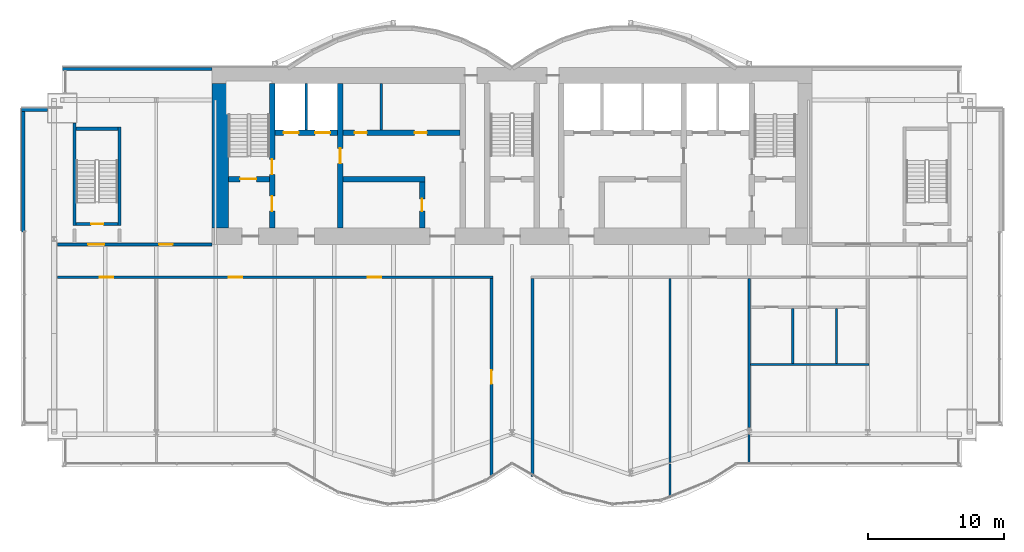
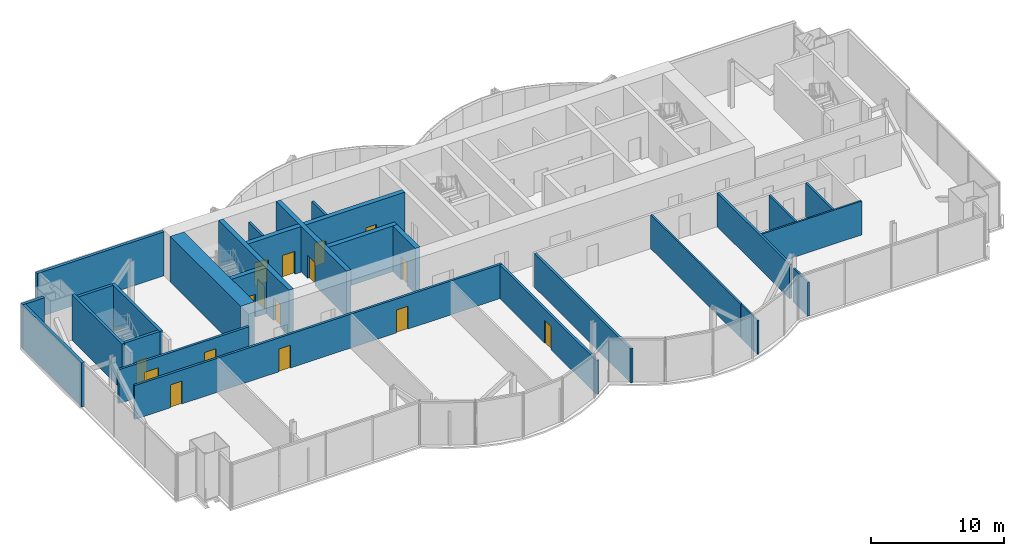
# One storey, part 13 of 19: 27 walls, 16 doors, 16 openings.
"""IFC4 building model written with IfcOpenShell, lengths in metres."""

from ifc_helpers import new_model, si_unit, direction, frame, frame_2d, origin, place, context, subcontext, project, spatial, rectangle, extrude, material, layer, layer_set, layer_usage, type_object, element, fill, save


model = new_model("IFC4")

# Units and contexts
model_context = context("Model", 3, precision=1e-05, world=origin(), true_north=direction((0.0, 1.0)))
body_context = subcontext(model_context, "Body", "Model", "MODEL_VIEW")
ifc_project = project(units=[si_unit("LENGTHUNIT", "METRE"), si_unit("AREAUNIT", "SQUARE_METRE"), si_unit("VOLUMEUNIT", "CUBIC_METRE"), si_unit("PLANEANGLEUNIT", "RADIAN"), si_unit("MASSUNIT", "GRAM", prefix="KILO")], contexts=[model_context])

# Site, building, storey
site_placement = place(None, origin())
site = spatial("IfcSite", under=ifc_project, at=site_placement, CompositionType="ELEMENT")
building_placement = place(site_placement, origin())
building = spatial("IfcBuilding", under=site, at=building_placement, Name="Bicima Exchange Tower", CompositionType="ELEMENT")
storey_placement = place(building_placement, frame((0.0, 0.0, 258.199951171875)))
storey = spatial("IfcBuildingStorey", under=building, at=storey_placement, Name="L58", CompositionType="ELEMENT", Elevation=258.199951171875)

# Wall
ifc_material_1 = material(Name="Gypsum board partition")
ifc_layer_1 = layer(ifc_material_1, 0.199951171875)
ifc_layer_set_1 = layer_set([ifc_layer_1], Name="Gypsum board partition")
wall_type_1 = type_object("IfcWallType", Name="Fire-rated gypsum partition 200 EI120", PredefinedType="PARTITIONING", material=ifc_layer_set_1)
wall_1_placement = place(storey_placement, frame((-15.10009765625, -4.60009765625, 0.0), z_axis=(0.0, 0.0, 1.0), x_axis=(0.0, 1.0, 0.0)))
element("IfcWall", 1, at=wall_1_placement, inside=storey, type_object=wall_type_1, Name="partition wall 9", PredefinedType="PARTITIONING", context=body_context, shape_type="SweptSolid", body=[
    extrude(rectangle(XDim=3.400146484375, YDim=0.199951171875, at=frame_2d((1.7001953125, 0.0))), origin(), (0.0, 0.0, 1.0), 3.1181640625),
])

# Wall, openings, doors
ifc_layer_2 = layer(ifc_material_1, 0.199951171875)
ifc_layer_set_2 = layer_set([ifc_layer_2], Name="Gypsum board partition")
wall_type_2 = type_object("IfcWallType", Name="Fire-rated gypsum partition 200 EI60", PredefinedType="PARTITIONING", material=ifc_layer_set_2)
wall_2_placement = place(storey_placement, frame((-33.340087890625, -15.39990234375, 0.0), z_axis=(0.0, 0.0, 1.0), x_axis=(1.0, 0.0, 0.0)))
wall_2 = element("IfcWall", 2, at=wall_2_placement, inside=storey, type_object=wall_type_2, Name="partition wall 3", PredefinedType="PARTITIONING", context=body_context, shape_type="SweptSolid", body=[
    extrude(rectangle(XDim=31.940185546875, YDim=0.199951171875, at=frame_2d((15.97021484375, 0.0))), origin(), (0.0, 0.0, 1.0), 3.1181640625),
])
opening_1_placement = place(wall_2_placement, frame((3.10009765625, 0.0, 0.0)))
opening_1 = element("IfcOpeningElement", 3, at=opening_1_placement, cuts=wall_2, Name="Opening L58-007", PredefinedType="OPENING", context=body_context, shape_type="SweptSolid", body=[
    extrude(rectangle(XDim=1.0, YDim=2.10009765625, at=frame_2d((0.5, 1.050048828125))), frame((0.0, 0.11181640625, 0.0), z_axis=(0.0, -1.0, 0.0), x_axis=(1.0, 0.0, 0.0)), (0.0, 0.0, 1.0), 0.223876953125),
])
opening_2_placement = place(wall_2_placement, frame((12.5400390625, 0.0, 0.0)))
opening_2 = element("IfcOpeningElement", 4, at=opening_2_placement, cuts=wall_2, Name="Opening L58-008", PredefinedType="OPENING", context=body_context, shape_type="SweptSolid", body=[
    extrude(rectangle(XDim=1.0, YDim=2.10009765625, at=frame_2d((0.5, 1.050048828125))), frame((0.0, 0.11181640625, 0.0), z_axis=(0.0, -1.0, 0.0), x_axis=(1.0, 0.0, 0.0)), (0.0, 0.0, 1.0), 0.223876953125),
])
opening_3_placement = place(wall_2_placement, frame((22.739990234375, 0.0, 0.0)))
opening_3 = element("IfcOpeningElement", 5, at=opening_3_placement, cuts=wall_2, Name="Opening L58-009", PredefinedType="OPENING", context=body_context, shape_type="SweptSolid", body=[
    extrude(rectangle(XDim=1.0, YDim=2.10009765625, at=frame_2d((0.5, 1.050048828125))), frame((0.0, 0.11181640625, 0.0), z_axis=(0.0, -1.0, 0.0), x_axis=(1.0, 0.0, 0.0)), (0.0, 0.0, 1.0), 0.223876953125),
])
ifc_material_2 = material(Name="Steel fire door leaf", Category="steel")
door_type_1 = type_object("IfcDoorType", Name="Door 1000 swing FD30S", OperationType="SINGLE_SWING_LEFT", PredefinedType="DOOR", material=ifc_material_2)
door_1_placement = place(opening_1_placement, frame((1.0, 0.0, 0.0), z_axis=(0.0, 0.0, 1.0), x_axis=(-1.0, 0.0, 0.0)))
door_1 = element("IfcDoor", 6, at=door_1_placement, inside=storey, type_object=door_type_1, Name="Door", OperationType="SINGLE_SWING_LEFT", OverallHeight=2.10009765625, OverallWidth=1.0, PredefinedType="DOOR", context=body_context, shape_type="SweptSolid", body=[
    extrude(rectangle(XDim=1.0, YDim=2.10009765625, at=frame_2d((0.5, 1.050048828125))), frame((0.0, 0.02490234375, 0.0), z_axis=(0.0, -1.0, 0.0), x_axis=(1.0, 0.0, 0.0)), (0.0, 0.0, 1.0), 0.050048828125),
])
fill(opening_1, door_1)
door_2_placement = place(opening_2_placement, frame((1.0, 0.0, 0.0), z_axis=(0.0, 0.0, 1.0), x_axis=(-1.0, 0.0, 0.0)))
door_2 = element("IfcDoor", 7, at=door_2_placement, inside=storey, type_object=door_type_1, Name="Door", OperationType="SINGLE_SWING_RIGHT", OverallHeight=2.10009765625, OverallWidth=1.0, PredefinedType="DOOR", context=body_context, shape_type="SweptSolid", body=[
    extrude(rectangle(XDim=1.0, YDim=2.10009765625, at=frame_2d((0.5, 1.050048828125))), frame((0.0, 0.02490234375, 0.0), z_axis=(0.0, -1.0, 0.0), x_axis=(1.0, 0.0, 0.0)), (0.0, 0.0, 1.0), 0.050048828125),
])
fill(opening_2, door_2)
door_3_placement = place(opening_3_placement, frame((1.0, 0.0, 0.0), z_axis=(0.0, 0.0, 1.0), x_axis=(-1.0, 0.0, 0.0)))
door_3 = element("IfcDoor", 8, at=door_3_placement, inside=storey, type_object=door_type_1, Name="Door", OperationType="SINGLE_SWING_RIGHT", OverallHeight=2.10009765625, OverallWidth=1.0, PredefinedType="DOOR", context=body_context, shape_type="SweptSolid", body=[
    extrude(rectangle(XDim=1.0, YDim=2.10009765625, at=frame_2d((0.5, 1.050048828125))), frame((0.0, 0.02490234375, 0.0), z_axis=(0.0, -1.0, 0.0), x_axis=(1.0, 0.0, 0.0)), (0.0, 0.0, 1.0), 0.050048828125),
])
fill(opening_3, door_3)

wall_3_placement = place(storey_placement, frame((-33.340087890625, -13.0, 0.0), z_axis=(0.0, 0.0, 1.0), x_axis=(1.0, 0.0, 0.0)))
wall_3 = element("IfcWall", 9, at=wall_3_placement, inside=storey, type_object=wall_type_2, Name="partition wall 5", PredefinedType="PARTITIONING", context=body_context, shape_type="SweptSolid", body=[
    extrude(rectangle(XDim=11.340087890625, YDim=0.199951171875, at=frame_2d((5.669921875, 0.0))), origin(), (0.0, 0.0, 1.0), 3.1181640625),
])
opening_4_placement = place(wall_3_placement, frame((2.239990234375, 0.0, 0.0)))
opening_4 = element("IfcOpeningElement", 10, at=opening_4_placement, cuts=wall_3, Name="Opening L58-001", PredefinedType="OPENING", context=body_context, shape_type="SweptSolid", body=[
    extrude(rectangle(XDim=1.199951171875, YDim=2.10009765625, at=frame_2d((0.60009765625, 1.050048828125))), frame((0.0, 0.11181640625, 0.0), z_axis=(0.0, -1.0, 0.0), x_axis=(1.0, 0.0, 0.0)), (0.0, 0.0, 1.0), 0.223876953125),
])
opening_5_placement = place(wall_3_placement, frame((7.43994140625, 0.0, 0.0)))
opening_5 = element("IfcOpeningElement", 11, at=opening_5_placement, cuts=wall_3, Name="Opening L58-005", PredefinedType="OPENING", context=body_context, shape_type="SweptSolid", body=[
    extrude(rectangle(XDim=1.0, YDim=2.10009765625, at=frame_2d((0.5, 1.050048828125))), frame((0.0, 0.11181640625, 0.0), z_axis=(0.0, -1.0, 0.0), x_axis=(1.0, 0.0, 0.0)), (0.0, 0.0, 1.0), 0.223876953125),
])
door_4_placement = place(opening_5_placement, origin())
door_4 = element("IfcDoor", 12, at=door_4_placement, inside=storey, type_object=door_type_1, Name="Door", OperationType="SINGLE_SWING_LEFT", OverallHeight=2.10009765625, OverallWidth=1.0, PredefinedType="DOOR", context=body_context, shape_type="SweptSolid", body=[
    extrude(rectangle(XDim=1.0, YDim=2.10009765625, at=frame_2d((0.5, 1.050048828125))), frame((0.0, 0.02490234375, 0.0), z_axis=(0.0, -1.0, 0.0), x_axis=(1.0, 0.0, 0.0)), (0.0, 0.0, 1.0), 0.050048828125),
])
fill(opening_5, door_4)
door_type_2 = type_object("IfcDoorType", Name="Door 1200 swing FD30S", OperationType="SINGLE_SWING_LEFT", PredefinedType="DOOR", material=ifc_material_2)
door_5_placement = place(opening_4_placement, origin())
door_5 = element("IfcDoor", 13, at=door_5_placement, inside=storey, type_object=door_type_2, Name="Door", OperationType="SINGLE_SWING_LEFT", OverallHeight=2.10009765625, OverallWidth=1.199951171875, PredefinedType="DOOR", context=body_context, shape_type="SweptSolid", body=[
    extrude(rectangle(XDim=1.199951171875, YDim=2.10009765625, at=frame_2d((0.60009765625, 1.050048828125))), frame((0.0, 0.02490234375, 0.0), z_axis=(0.0, -1.0, 0.0), x_axis=(1.0, 0.0, 0.0)), (0.0, 0.0, 1.0), 0.050048828125),
])
fill(opening_4, door_5)

# Wall, opening, door
wall_4_placement = place(storey_placement, frame((-1.5, -30.030029296875, 0.0), z_axis=(0.0, 0.0, 1.0), x_axis=(0.0, 1.0, 0.0)))
wall_4 = element("IfcWall", 14, at=wall_4_placement, inside=storey, type_object=wall_type_2, Name="partition wall 17", PredefinedType="PARTITIONING", context=body_context, shape_type="SweptSolid", body=[
    extrude(rectangle(XDim=14.530029296875, YDim=0.199951171875, at=frame_2d((7.26513671875, 0.0))), origin(), (0.0, 0.0, 1.0), 3.1181640625),
])
opening_6_placement = place(wall_4_placement, frame((6.800048828125, 0.0, 0.0)))
opening_6 = element("IfcOpeningElement", 15, at=opening_6_placement, cuts=wall_4, Name="Opening L58-010", PredefinedType="OPENING", context=body_context, shape_type="SweptSolid", body=[
    extrude(rectangle(XDim=1.0, YDim=2.10009765625, at=frame_2d((0.5, 1.050048828125))), frame((0.0, 0.11181640625, 0.0), z_axis=(0.0, -1.0, 0.0), x_axis=(1.0, 0.0, 0.0)), (0.0, 0.0, 1.0), 0.223876953125),
])
door_6_placement = place(opening_6_placement, origin())
door_6 = element("IfcDoor", 16, at=door_6_placement, inside=storey, type_object=door_type_1, Name="Door", OperationType="SINGLE_SWING_LEFT", OverallHeight=2.10009765625, OverallWidth=1.0, PredefinedType="DOOR", context=body_context, shape_type="SweptSolid", body=[
    extrude(rectangle(XDim=1.0, YDim=2.10009765625, at=frame_2d((0.5, 1.050048828125))), frame((0.0, 0.02490234375, 0.0), z_axis=(0.0, -1.0, 0.0), x_axis=(1.0, 0.0, 0.0)), (0.0, 0.0, 1.0), 0.050048828125),
])
fill(opening_6, door_6)

# Walls
wall_5_placement = place(storey_placement, frame((1.5, -30.030029296875, 0.0), z_axis=(0.0, 0.0, 1.0), x_axis=(0.0, 1.0, 0.0)))
element("IfcWall", 17, at=wall_5_placement, inside=storey, type_object=wall_type_2, Name="partition wall 18", PredefinedType="PARTITIONING", context=body_context, shape_type="SweptSolid", body=[
    extrude(rectangle(XDim=14.530029296875, YDim=0.199951171875, at=frame_2d((7.26513671875, 0.0))), origin(), (0.0, 0.0, 1.0), 3.1181640625),
])
wall_6_placement = place(storey_placement, frame((17.39990234375, -26.424072265625, 0.0), z_axis=(0.0, 0.0, 1.0), x_axis=(0.0, 1.0, 0.0)))
element("IfcWall", 18, at=wall_6_placement, inside=storey, type_object=wall_type_2, Name="partition wall 22", PredefinedType="PARTITIONING", context=body_context, shape_type="SweptSolid", body=[
    extrude(rectangle(XDim=10.924072265625, YDim=0.199951171875, at=frame_2d((5.4619140625, 0.0))), origin(), (0.0, 0.0, 1.0), 3.1181640625),
])
wall_7_placement = place(storey_placement, frame((-9.60009765625, -4.60009765625, 0.0), z_axis=(0.0, 0.0, 1.0), x_axis=(0.0, 1.0, 0.0)))
element("IfcWall", 19, at=wall_7_placement, inside=storey, type_object=wall_type_2, Name="partition wall 11", PredefinedType="PARTITIONING", context=body_context, shape_type="SweptSolid", body=[
    extrude(rectangle(XDim=3.400146484375, YDim=0.199951171875, at=frame_2d((1.7001953125, 0.0))), origin(), (0.0, 0.0, 1.0), 3.1181640625),
])
ifc_layer_3 = layer(ifc_material_1, 0.14990234375)
ifc_layer_set_3 = layer_set([ifc_layer_3], Name="Gypsum board partition")
wall_type_3 = type_object("IfcWallType", Name="Gypsum partition 150", PredefinedType="PARTITIONING", material=ifc_layer_set_3)
wall_8_placement = place(storey_placement, frame((17.5, -21.800048828125, 0.0), z_axis=(0.0, 0.0, 1.0), x_axis=(1.0, 0.0, 0.0)))
element("IfcWall", 20, at=wall_8_placement, inside=storey, type_object=wall_type_3, Name="partition wall 1", PredefinedType="PARTITIONING", context=body_context, shape_type="SweptSolid", body=[
    extrude(rectangle(XDim=8.699951171875, YDim=0.14990234375, at=frame_2d((4.35009765625, 0.0))), origin(), (0.0, 0.0, 1.0), 3.1181640625),
])
wall_9_placement = place(storey_placement, frame((11.60009765625, -31.56005859375, 0.0), z_axis=(0.0, 0.0, 1.0), x_axis=(0.0, 1.0, 0.0)))
element("IfcWall", 21, at=wall_9_placement, inside=storey, type_object=wall_type_3, Name="partition wall 19", PredefinedType="PARTITIONING", context=body_context, shape_type="SweptSolid", body=[
    extrude(rectangle(XDim=2.469970703125, YDim=0.14990234375, at=frame_2d((1.23486328125, 0.0))), origin(), (0.0, 0.0, 1.0), 3.1181640625),
])
wall_10_placement = place(storey_placement, frame((11.60009765625, -28.9990234375, 0.0), z_axis=(0.0, 0.0, 1.0), x_axis=(0.0, 1.0, 0.0)))
element("IfcWall", 22, at=wall_10_placement, inside=storey, type_object=wall_type_3, Name="partition wall 20", PredefinedType="PARTITIONING", context=body_context, shape_type="SweptSolid", body=[
    extrude(rectangle(XDim=13.4990234375, YDim=0.14990234375, at=frame_2d((6.74951171875, 0.0))), origin(), (0.0, 0.0, 1.0), 3.1181640625),
])
wall_11_placement = place(storey_placement, frame((17.39990234375, -29.10009765625, 0.0), z_axis=(0.0, 0.0, 1.0), x_axis=(0.0, 1.0, 0.0)))
element("IfcWall", 23, at=wall_11_placement, inside=storey, type_object=wall_type_3, Name="partition wall 21", PredefinedType="PARTITIONING", context=body_context, shape_type="SweptSolid", body=[
    extrude(rectangle(XDim=2.188232421875, YDim=0.14990234375, at=frame_2d((1.09423828125, 0.0))), origin(), (0.0, 0.0, 1.0), 3.1181640625),
])
for number, where, z_axis, x_axis, name in (
    (24, (20.60009765625, -21.72509765625, 0.0), (0.0, 0.0, 1.0), (0.0, 1.0, 0.0), "partition wall 23"),
    (25, (23.800048828125, -21.72509765625, 0.0), (0.0, 0.0, 1.0), (0.0, 1.0, 0.0), "partition wall 24"),
):
    element("IfcWall", number, at=place(storey_placement, frame(where, z_axis=z_axis, x_axis=x_axis)), inside=storey, type_object=wall_type_3, Name=name, PredefinedType="PARTITIONING", context=body_context, shape_type="SweptSolid", body=[
        extrude(rectangle(XDim=4.025146484375, YDim=0.14990234375, at=frame_2d((2.0126953125, 0.0))), origin(), (0.0, 0.0, 1.0), 3.1181640625),
    ])
ifc_material_3 = material(Name="Concrete C40/50", Category="concrete")
ifc_layer_4 = layer(ifc_material_3, 1.199951171875)
ifc_layer_set_4 = layer_set([ifc_layer_4], Name="Concrete C40/50")
wall_type_4 = type_object("IfcWallType", Name="RC core wall 1200 C40/50", PredefinedType="SHEAR", material=ifc_layer_set_4)
wall_12_placement = place(storey_placement, frame((-21.39990234375, -11.800048828125, 0.0), z_axis=(0.0, 0.0, 1.0), x_axis=(0.0, 1.0, 0.0)))
element("IfcWall", 26, at=wall_12_placement, inside=storey, type_object=wall_type_4, Name="Core wall west", PredefinedType="SHEAR", context=body_context, shape_type="SweptSolid", body=[
    extrude(rectangle(XDim=10.60009765625, YDim=1.199951171875, at=frame_2d((5.300048828125, 0.0))), origin(), (0.0, 0.0, 1.0), 4.199951171875),
])
ifc_layer_5 = layer(ifc_material_3, 0.39990234375)
ifc_layer_set_5 = layer_set([ifc_layer_5], Name="Concrete C40/50")
wall_type_5 = type_object("IfcWallType", Name="RC core wall 400 C40/50", PredefinedType="SHEAR", material=ifc_layer_set_5)
wall_13_placement = place(storey_placement, frame((-12.39990234375, -8.199951171875, 0.0), z_axis=(0.0, 0.0, 1.0), x_axis=(1.0, 0.0, 0.0)))
element("IfcWall", 27, at=wall_13_placement, inside=storey, type_object=wall_type_5, Name="shear wall 2", PredefinedType="SHEAR", context=body_context, shape_type="SweptSolid", body=[
    extrude(rectangle(XDim=6.0, YDim=0.39990234375, at=frame_2d((3.0, 0.0))), origin(), (0.0, 0.0, 1.0), 4.199951171875),
])

# Wall, openings, doors
wall_14_placement = place(storey_placement, frame((-17.39990234375, -4.800048828125, 0.0), z_axis=(0.0, 0.0, 1.0), x_axis=(1.0, 0.0, 0.0)))
wall_14 = element("IfcWall", 28, at=wall_14_placement, inside=storey, type_object=wall_type_5, Name="shear wall 6", PredefinedType="SHEAR", context=body_context, shape_type="SweptSolid", body=[
    extrude(rectangle(XDim=13.599853515625, YDim=0.39990234375, at=frame_2d((6.7998046875, 0.0))), origin(), (0.0, 0.0, 1.0), 4.199951171875),
])
opening_7_placement = place(wall_14_placement, frame((0.64990234375, 0.0, 0.0)))
opening_7 = element("IfcOpeningElement", 29, at=opening_7_placement, cuts=wall_14, Name="Opening LD-FF1-L58", PredefinedType="OPENING", context=body_context, shape_type="SweptSolid", body=[
    extrude(rectangle(XDim=1.10009765625, YDim=2.10009765625, at=frame_2d((0.550048828125, 1.050048828125))), frame((0.0, 0.2119140625, 0.0), z_axis=(0.0, -1.0, 0.0), x_axis=(1.0, 0.0, 0.0)), (0.0, 0.0, 1.0), 0.423828125),
])
opening_8_placement = place(wall_14_placement, frame((2.949951171875, 0.0, 0.0)))
opening_8 = element("IfcOpeningElement", 30, at=opening_8_placement, cuts=wall_14, Name="Opening LD-FF3-L58", PredefinedType="OPENING", context=body_context, shape_type="SweptSolid", body=[
    extrude(rectangle(XDim=1.10009765625, YDim=2.10009765625, at=frame_2d((0.550048828125, 1.050048828125))), frame((0.0, 0.2119140625, 0.0), z_axis=(0.0, -1.0, 0.0), x_axis=(1.0, 0.0, 0.0)), (0.0, 0.0, 1.0), 0.423828125),
])
opening_9_placement = place(wall_14_placement, frame((5.85009765625, 0.0, 0.0)))
opening_9 = element("IfcOpeningElement", 31, at=opening_9_placement, cuts=wall_14, Name="Opening L58-C12", PredefinedType="OPENING", context=body_context, shape_type="SweptSolid", body=[
    extrude(rectangle(XDim=0.89990234375, YDim=2.10009765625, at=frame_2d((0.449951171875, 1.050048828125))), frame((0.0, 0.2119140625, 0.0), z_axis=(0.0, -1.0, 0.0), x_axis=(1.0, 0.0, 0.0)), (0.0, 0.0, 1.0), 0.423828125),
])
opening_10_placement = place(wall_14_placement, frame((10.25, 0.0, 0.0)))
opening_10 = element("IfcOpeningElement", 32, at=opening_10_placement, cuts=wall_14, Name="Opening L58-C13", PredefinedType="OPENING", context=body_context, shape_type="SweptSolid", body=[
    extrude(rectangle(XDim=0.89990234375, YDim=2.10009765625, at=frame_2d((0.449951171875, 1.050048828125))), frame((0.0, 0.2119140625, 0.0), z_axis=(0.0, -1.0, 0.0), x_axis=(1.0, 0.0, 0.0)), (0.0, 0.0, 1.0), 0.423828125),
])
door_type_3 = type_object("IfcDoorType", Name="Door 900 swing FD30S", OperationType="SINGLE_SWING_LEFT", PredefinedType="DOOR", material=ifc_material_2)
door_7_placement = place(opening_9_placement, origin())
door_7 = element("IfcDoor", 33, at=door_7_placement, inside=storey, type_object=door_type_3, Name="Core door", OperationType="SINGLE_SWING_RIGHT", OverallHeight=2.10009765625, OverallWidth=0.89990234375, PredefinedType="DOOR", context=body_context, shape_type="SweptSolid", body=[
    extrude(rectangle(XDim=0.89990234375, YDim=2.10009765625, at=frame_2d((0.449951171875, 1.050048828125))), frame((0.0, 0.02490234375, 0.0), z_axis=(0.0, -1.0, 0.0), x_axis=(1.0, 0.0, 0.0)), (0.0, 0.0, 1.0), 0.050048828125),
])
fill(opening_9, door_7)
door_8_placement = place(opening_10_placement, origin())
door_8 = element("IfcDoor", 34, at=door_8_placement, inside=storey, type_object=door_type_3, Name="Core door", OperationType="SINGLE_SWING_LEFT", OverallHeight=2.10009765625, OverallWidth=0.89990234375, PredefinedType="DOOR", context=body_context, shape_type="SweptSolid", body=[
    extrude(rectangle(XDim=0.89990234375, YDim=2.10009765625, at=frame_2d((0.449951171875, 1.050048828125))), frame((0.0, 0.02490234375, 0.0), z_axis=(0.0, -1.0, 0.0), x_axis=(1.0, 0.0, 0.0)), (0.0, 0.0, 1.0), 0.050048828125),
])
fill(opening_10, door_8)
ifc_material_4 = material(Name="Stainless steel", Category="steel")
door_type_4 = type_object("IfcDoorType", Name="Lift landing door 1100 sliding", OperationType="DOUBLE_DOOR_SLIDING", PredefinedType="DOOR", material=ifc_material_4)
door_9_placement = place(opening_7_placement, origin())
door_9 = element("IfcDoor", 35, at=door_9_placement, inside=storey, type_object=door_type_4, Name="Lift landing door FF1", OperationType="DOUBLE_DOOR_SLIDING", OverallHeight=2.10009765625, OverallWidth=1.10009765625, PredefinedType="DOOR", context=body_context, shape_type="SweptSolid", body=[
    extrude(rectangle(XDim=1.10009765625, YDim=2.10009765625, at=frame_2d((0.550048828125, 1.050048828125))), frame((0.0, 0.02490234375, 0.0), z_axis=(0.0, -1.0, 0.0), x_axis=(1.0, 0.0, 0.0)), (0.0, 0.0, 1.0), 0.050048828125),
])
fill(opening_7, door_9)
door_10_placement = place(opening_8_placement, origin())
door_10 = element("IfcDoor", 36, at=door_10_placement, inside=storey, type_object=door_type_4, Name="Lift landing door FF3", OperationType="DOUBLE_DOOR_SLIDING", OverallHeight=2.10009765625, OverallWidth=1.10009765625, PredefinedType="DOOR", context=body_context, shape_type="SweptSolid", body=[
    extrude(rectangle(XDim=1.10009765625, YDim=2.10009765625, at=frame_2d((0.550048828125, 1.050048828125))), frame((0.0, 0.02490234375, 0.0), z_axis=(0.0, -1.0, 0.0), x_axis=(1.0, 0.0, 0.0)), (0.0, 0.0, 1.0), 0.050048828125),
])
fill(opening_8, door_10)

# Wall, opening, door
wall_15_placement = place(storey_placement, frame((-12.60009765625, -11.800048828125, 0.0), z_axis=(0.0, 0.0, 1.0), x_axis=(0.0, 1.0, 0.0)))
wall_15 = element("IfcWall", 37, at=wall_15_placement, inside=storey, type_object=wall_type_5, Name="shear wall 10", PredefinedType="SHEAR", context=body_context, shape_type="SweptSolid", body=[
    extrude(rectangle(XDim=10.60009765625, YDim=0.39990234375, at=frame_2d((5.300048828125, 0.0))), origin(), (0.0, 0.0, 1.0), 4.199951171875),
])
opening_11_placement = place(wall_15_placement, frame((4.75, 0.0, 0.0)))
opening_11 = element("IfcOpeningElement", 38, at=opening_11_placement, cuts=wall_15, Name="Opening L58-C07", PredefinedType="OPENING", context=body_context, shape_type="SweptSolid", body=[
    extrude(rectangle(XDim=1.10009765625, YDim=2.10009765625, at=frame_2d((0.550048828125, 1.050048828125))), frame((0.0, 0.2119140625, 0.0), z_axis=(0.0, -1.0, 0.0), x_axis=(1.0, 0.0, 0.0)), (0.0, 0.0, 1.0), 0.423828125),
])
door_type_5 = type_object("IfcDoorType", Name="Door 1100 swing FD60S", OperationType="SINGLE_SWING_LEFT", PredefinedType="DOOR", material=ifc_material_2)
door_11_placement = place(opening_11_placement, origin())
door_11 = element("IfcDoor", 39, at=door_11_placement, inside=storey, type_object=door_type_5, Name="Core door", OperationType="SINGLE_SWING_LEFT", OverallHeight=2.10009765625, OverallWidth=1.10009765625, PredefinedType="DOOR", context=body_context, shape_type="SweptSolid", body=[
    extrude(rectangle(XDim=1.10009765625, YDim=2.10009765625, at=frame_2d((0.550048828125, 1.050048828125))), frame((0.0, 0.02490234375, 0.0), z_axis=(0.0, -1.0, 0.0), x_axis=(1.0, 0.0, 0.0)), (0.0, 0.0, 1.0), 0.050048828125),
])
fill(opening_11, door_11)

wall_16_placement = place(storey_placement, frame((-6.60009765625, -11.800048828125, 0.0), z_axis=(0.0, 0.0, 1.0), x_axis=(0.0, 1.0, 0.0)))
wall_16 = element("IfcWall", 40, at=wall_16_placement, inside=storey, type_object=wall_type_5, Name="shear wall 12", PredefinedType="SHEAR", context=body_context, shape_type="SweptSolid", body=[
    extrude(rectangle(XDim=3.400146484375, YDim=0.39990234375, at=frame_2d((1.7001953125, 0.0))), origin(), (0.0, 0.0, 1.0), 4.199951171875),
])
opening_12_placement = place(wall_16_placement, frame((1.25, 0.0, 0.0)))
opening_12 = element("IfcOpeningElement", 41, at=opening_12_placement, cuts=wall_16, Name="Opening L58-C14", PredefinedType="OPENING", context=body_context, shape_type="SweptSolid", body=[
    extrude(rectangle(XDim=0.89990234375, YDim=2.10009765625, at=frame_2d((0.449951171875, 1.050048828125))), frame((0.0, 0.2119140625, 0.0), z_axis=(0.0, -1.0, 0.0), x_axis=(1.0, 0.0, 0.0)), (0.0, 0.0, 1.0), 0.423828125),
])
door_12_placement = place(opening_12_placement, origin())
door_12 = element("IfcDoor", 42, at=door_12_placement, inside=storey, type_object=door_type_3, Name="Core door", OperationType="SINGLE_SWING_RIGHT", OverallHeight=2.10009765625, OverallWidth=0.89990234375, PredefinedType="DOOR", context=body_context, shape_type="SweptSolid", body=[
    extrude(rectangle(XDim=0.89990234375, YDim=2.10009765625, at=frame_2d((0.449951171875, 1.050048828125))), frame((0.0, 0.02490234375, 0.0), z_axis=(0.0, -1.0, 0.0), x_axis=(1.0, 0.0, 0.0)), (0.0, 0.0, 1.0), 0.050048828125),
])
fill(opening_12, door_12)

ifc_material_5 = material(Name="Concrete C50/60", Category="concrete")
ifc_layer_6 = layer(ifc_material_5, 0.39990234375)
ifc_layer_set_6 = layer_set([ifc_layer_6], Name="Concrete C50/60")
wall_type_6 = type_object("IfcWallType", Name="RC core wall 400 C50/60", PredefinedType="SHEAR", material=ifc_layer_set_6)
wall_17_placement = place(storey_placement, frame((-20.800048828125, -8.199951171875, 0.0), z_axis=(0.0, 0.0, 1.0), x_axis=(1.0, 0.0, 0.0)))
wall_17 = element("IfcWall", 43, at=wall_17_placement, inside=storey, type_object=wall_type_6, Name="stair wall 1", PredefinedType="SHEAR", context=body_context, shape_type="SweptSolid", body=[
    extrude(rectangle(XDim=3.0, YDim=0.39990234375, at=frame_2d((1.5, 0.0))), origin(), (0.0, 0.0, 1.0), 4.199951171875),
])
opening_13_placement = place(wall_17_placement, frame((0.85009765625, 0.0, 0.0)))
opening_13 = element("IfcOpeningElement", 44, at=opening_13_placement, cuts=wall_17, Name="Opening L58-C01", PredefinedType="OPENING", context=body_context, shape_type="SweptSolid", body=[
    extrude(rectangle(XDim=1.199951171875, YDim=2.10009765625, at=frame_2d((0.60009765625, 1.050048828125))), frame((0.0, 0.2119140625, 0.0), z_axis=(0.0, -1.0, 0.0), x_axis=(1.0, 0.0, 0.0)), (0.0, 0.0, 1.0), 0.423828125),
])
door_type_6 = type_object("IfcDoorType", Name="Door 1200 swing FD60S", OperationType="SINGLE_SWING_LEFT", PredefinedType="DOOR", material=ifc_material_2)
door_13_placement = place(opening_13_placement, origin())
door_13 = element("IfcDoor", 45, at=door_13_placement, inside=storey, type_object=door_type_6, Name="Core door", OperationType="SINGLE_SWING_LEFT", OverallHeight=2.10009765625, OverallWidth=1.199951171875, PredefinedType="DOOR", context=body_context, shape_type="SweptSolid", body=[
    extrude(rectangle(XDim=1.199951171875, YDim=2.10009765625, at=frame_2d((0.60009765625, 1.050048828125))), frame((0.0, 0.02490234375, 0.0), z_axis=(0.0, -1.0, 0.0), x_axis=(1.0, 0.0, 0.0)), (0.0, 0.0, 1.0), 0.050048828125),
])
fill(opening_13, door_13)

# Wall, openings, doors
wall_18_placement = place(storey_placement, frame((-17.60009765625, -11.800048828125, 0.0), z_axis=(0.0, 0.0, 1.0), x_axis=(0.0, 1.0, 0.0)))
wall_18 = element("IfcWall", 46, at=wall_18_placement, inside=storey, type_object=wall_type_6, Name="stair wall 8", PredefinedType="SHEAR", context=body_context, shape_type="SweptSolid", body=[
    extrude(rectangle(XDim=10.60009765625, YDim=0.39990234375, at=frame_2d((5.300048828125, 0.0))), origin(), (0.0, 0.0, 1.0), 4.199951171875),
])
opening_14_placement = place(wall_18_placement, frame((1.25, 0.0, 0.0)))
opening_14 = element("IfcOpeningElement", 47, at=opening_14_placement, cuts=wall_18, Name="Opening L58-C02", PredefinedType="OPENING", context=body_context, shape_type="SweptSolid", body=[
    extrude(rectangle(XDim=1.10009765625, YDim=2.10009765625, at=frame_2d((0.550048828125, 1.050048828125))), frame((0.0, 0.2119140625, 0.0), z_axis=(0.0, -1.0, 0.0), x_axis=(1.0, 0.0, 0.0)), (0.0, 0.0, 1.0), 0.423828125),
])
opening_15_placement = place(wall_18_placement, frame((3.949951171875, 0.0, 0.0)))
opening_15 = element("IfcOpeningElement", 48, at=opening_15_placement, cuts=wall_18, Name="Opening L58-C06", PredefinedType="OPENING", context=body_context, shape_type="SweptSolid", body=[
    extrude(rectangle(XDim=1.10009765625, YDim=2.10009765625, at=frame_2d((0.550048828125, 1.050048828125))), frame((0.0, 0.2119140625, 0.0), z_axis=(0.0, -1.0, 0.0), x_axis=(1.0, 0.0, 0.0)), (0.0, 0.0, 1.0), 0.423828125),
])
door_14_placement = place(opening_14_placement, frame((1.10009765625, 0.0, 0.0), z_axis=(0.0, 0.0, 1.0), x_axis=(-1.0, 0.0, 0.0)))
door_14 = element("IfcDoor", 49, at=door_14_placement, inside=storey, type_object=door_type_5, Name="Core door", OperationType="SINGLE_SWING_LEFT", OverallHeight=2.10009765625, OverallWidth=1.10009765625, PredefinedType="DOOR", context=body_context, shape_type="SweptSolid", body=[
    extrude(rectangle(XDim=1.10009765625, YDim=2.10009765625, at=frame_2d((0.550048828125, 1.050048828125))), frame((0.0, 0.02490234375, 0.0), z_axis=(0.0, -1.0, 0.0), x_axis=(1.0, 0.0, 0.0)), (0.0, 0.0, 1.0), 0.050048828125),
])
fill(opening_14, door_14)
door_15_placement = place(opening_15_placement, frame((1.10009765625, 0.0, 0.0), z_axis=(0.0, 0.0, 1.0), x_axis=(-1.0, 0.0, 0.0)))
door_15 = element("IfcDoor", 50, at=door_15_placement, inside=storey, type_object=door_type_5, Name="Core door", OperationType="SINGLE_SWING_LEFT", OverallHeight=2.10009765625, OverallWidth=1.10009765625, PredefinedType="DOOR", context=body_context, shape_type="SweptSolid", body=[
    extrude(rectangle(XDim=1.10009765625, YDim=2.10009765625, at=frame_2d((0.550048828125, 1.050048828125))), frame((0.0, 0.02490234375, 0.0), z_axis=(0.0, -1.0, 0.0), x_axis=(1.0, 0.0, 0.0)), (0.0, 0.0, 1.0), 0.050048828125),
])
fill(opening_15, door_15)

# Walls
ifc_layer_7 = layer(ifc_material_5, 0.25)
ifc_layer_set_7 = layer_set([ifc_layer_7], Name="Concrete C50/60")
wall_type_7 = type_object("IfcWallType", Name="RC stair enclosure wall 250 C50/60", PredefinedType="SHEAR", material=ifc_layer_set_7)
wall_19_placement = place(storey_placement, frame((-32.10009765625, -11.625, 0.0), z_axis=(0.0, 0.0, 1.0), x_axis=(0.0, 1.0, 0.0)))
element("IfcWall", 51, at=wall_19_placement, inside=storey, type_object=wall_type_7, Name="West end exit stair wall W", PredefinedType="SHEAR", context=body_context, shape_type="SweptSolid", body=[
    extrude(rectangle(XDim=7.52490234375, YDim=0.25, at=frame_2d((3.762451171875, 0.0))), origin(), (0.0, 0.0, 1.0), 4.199951171875),
])
wall_20_placement = place(storey_placement, frame((-28.800048828125, -11.625, 0.0), z_axis=(0.0, 0.0, 1.0), x_axis=(0.0, 1.0, 0.0)))
element("IfcWall", 52, at=wall_20_placement, inside=storey, type_object=wall_type_7, Name="West end exit stair wall E", PredefinedType="SHEAR", context=body_context, shape_type="SweptSolid", body=[
    extrude(rectangle(XDim=7.25, YDim=0.25, at=frame_2d((3.625, 0.0))), origin(), (0.0, 0.0, 1.0), 4.199951171875),
])

# Wall, opening, door
wall_21_placement = place(storey_placement, frame((-31.97509765625, -11.5, 0.0), z_axis=(0.0, 0.0, 1.0), x_axis=(1.0, 0.0, 0.0)))
wall_21 = element("IfcWall", 53, at=wall_21_placement, inside=storey, type_object=wall_type_7, Name="West end exit stair wall S", PredefinedType="SHEAR", context=body_context, shape_type="SweptSolid", body=[
    extrude(rectangle(XDim=3.050048828125, YDim=0.25, at=frame_2d((1.52490234375, 0.0))), origin(), (0.0, 0.0, 1.0), 4.199951171875),
])
opening_16_placement = place(wall_21_placement, frame((1.10009765625, 0.0, 0.0)))
opening_16 = element("IfcOpeningElement", 54, at=opening_16_placement, cuts=wall_21, Name="Opening L58-002", PredefinedType="OPENING", context=body_context, shape_type="SweptSolid", body=[
    extrude(rectangle(XDim=0.89990234375, YDim=2.10009765625, at=frame_2d((0.449951171875, 1.050048828125))), frame((0.0, 0.136962890625, 0.0), z_axis=(0.0, -1.0, 0.0), x_axis=(1.0, 0.0, 0.0)), (0.0, 0.0, 1.0), 0.27392578125),
])
door_type_7 = type_object("IfcDoorType", Name="Door 900 swing FD60S", OperationType="SINGLE_SWING_LEFT", PredefinedType="DOOR", material=ifc_material_2)
door_16_placement = place(opening_16_placement, origin())
door_16 = element("IfcDoor", 55, at=door_16_placement, inside=storey, type_object=door_type_7, Name="Door", OperationType="SINGLE_SWING_LEFT", OverallHeight=2.10009765625, OverallWidth=0.89990234375, PredefinedType="DOOR", context=body_context, shape_type="SweptSolid", body=[
    extrude(rectangle(XDim=0.89990234375, YDim=2.10009765625, at=frame_2d((0.449951171875, 1.050048828125))), frame((0.0, 0.02490234375, 0.0), z_axis=(0.0, -1.0, 0.0), x_axis=(1.0, 0.0, 0.0)), (0.0, 0.0, 1.0), 0.050048828125),
])
fill(opening_16, door_16)

# Walls
wall_22_placement = place(storey_placement, frame((-31.97509765625, -4.5, 0.0), z_axis=(0.0, 0.0, 1.0), x_axis=(1.0, 0.0, 0.0)))
element("IfcWall", 56, at=wall_22_placement, inside=storey, type_object=wall_type_7, Name="West end exit stair wall N", PredefinedType="SHEAR", context=body_context, shape_type="SweptSolid", body=[
    extrude(rectangle(XDim=3.050048828125, YDim=0.25, at=frame_2d((1.52490234375, 0.0))), origin(), (0.0, 0.0, 1.0), 4.199951171875),
])
ifc_layer_8 = layer(ifc_material_3, 0.25)
ifc_layer_set_8 = layer_set([ifc_layer_8], Name="Concrete C40/50")
ifc_layer_usage = layer_usage(ifc_layer_set_8, "AXIS2", "POSITIVE", -0.125)
wall_type_8 = type_object("IfcWallType", Name="Rear backup wall 250", PredefinedType="STANDARD", material=ifc_layer_set_8)
wall_23_placement = place(storey_placement, frame((-22.0, -0.125, 0.0), z_axis=(0.0, 0.0, 1.0), x_axis=(-1.0, 0.0, 0.0)))
element("IfcWall", 57, at=wall_23_placement, inside=storey, type_object=wall_type_8, material=ifc_layer_usage, Name="Rear backup wall L58 20", PredefinedType="STANDARD", context=body_context, shape_type="SweptSolid", body=[
    extrude(rectangle(XDim=11.0, YDim=0.25, at=frame_2d((5.5, 0.0))), origin(), (0.0, 0.0, 1.0), 4.050048828125),
])
wall_24_placement = place(storey_placement, frame((-34.10009765625, -3.125, 0.0), z_axis=(0.0, 0.0, 1.0), x_axis=(-1.0, 0.0, 0.0)))
element("IfcWall", 58, at=wall_24_placement, inside=storey, type_object=wall_type_8, material=ifc_layer_usage, Name="Rear backup wall L58 22", PredefinedType="STANDARD", context=body_context, shape_type="SweptSolid", body=[
    extrude(rectangle(XDim=1.89990234375, YDim=0.25, at=frame_2d((0.949951171875, 0.0))), origin(), (0.0, 0.0, 1.0), 4.050048828125),
])
wall_25_placement = place(storey_placement, frame((-35.875, -3.0, 0.0), z_axis=(0.0, 0.0, 1.0), x_axis=(0.0, -1.0, 0.0)))
element("IfcWall", 59, at=wall_25_placement, inside=storey, type_object=wall_type_8, material=ifc_layer_usage, Name="Rear backup wall L58 23", PredefinedType="STANDARD", context=body_context, shape_type="SweptSolid", body=[
    extrude(rectangle(XDim=9.090087890625, YDim=0.25, at=frame_2d((4.544921875, 0.0))), origin(), (0.0, 0.0, 1.0), 4.050048828125),
])

save(model, "model.ifc")
